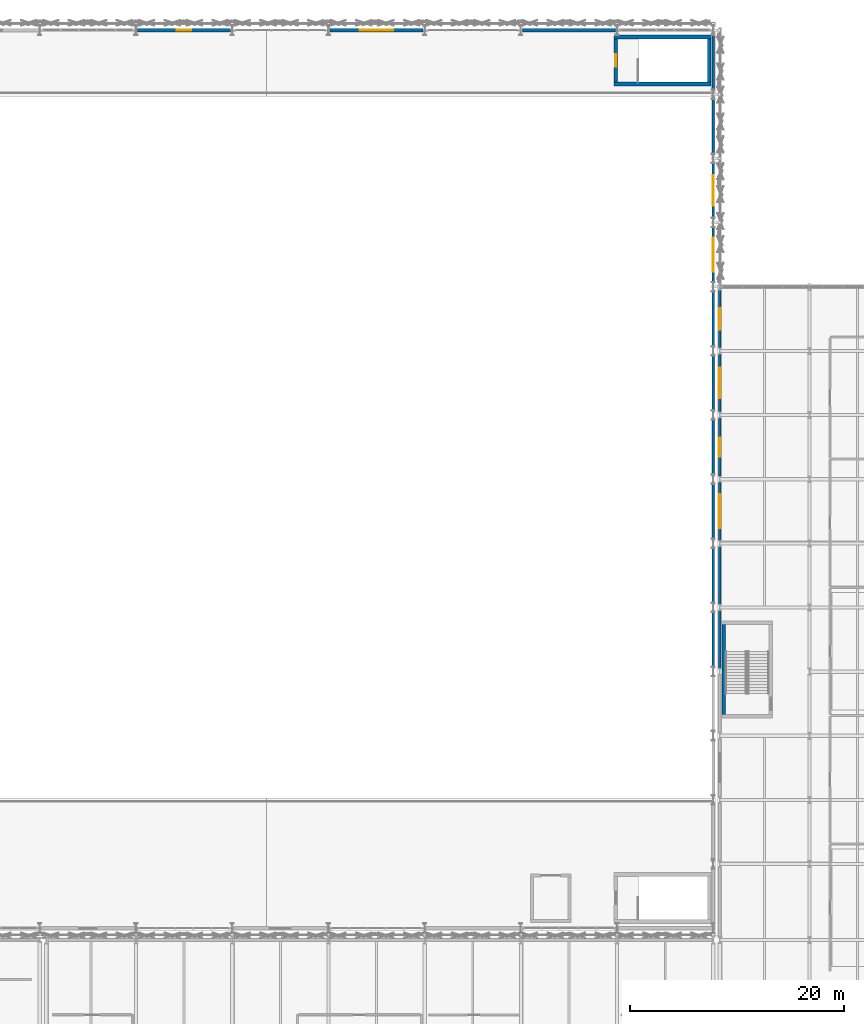
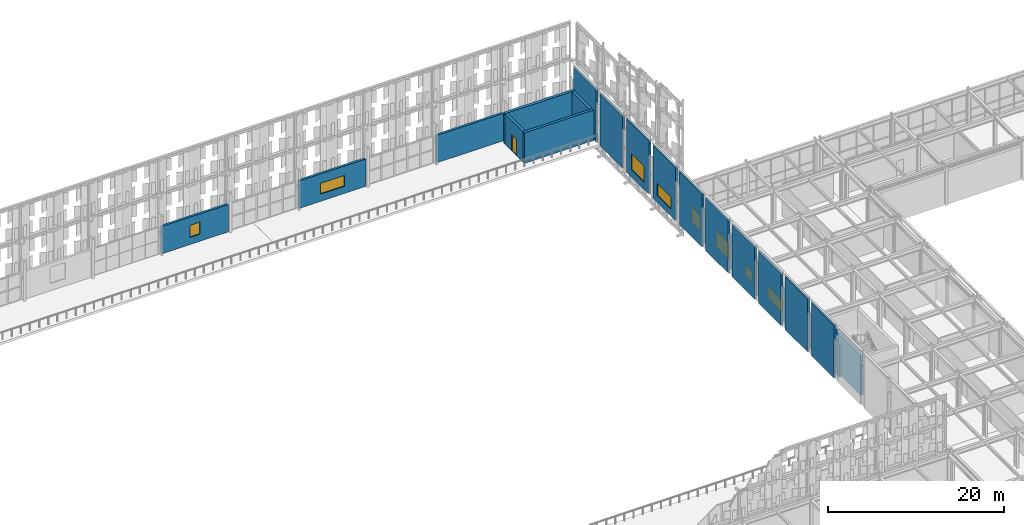
# One storey, part 159 of 210: 24 walls, 8 windows, 1 door, 9 openings.
"""IFC4 building model written with IfcOpenShell, lengths in metres."""

from ifc_helpers import new_model, si_unit, direction, frame, frame_2d, origin, place, context, subcontext, project, spatial, rectangle, extrude, material, layer, layer_set, type_object, element, fill, save


model = new_model("IFC4")

# Units and contexts
model_context = context("Model", 3, precision=1e-05, world=origin(), true_north=direction((0.0, 1.0)))
body_context = subcontext(model_context, "Body", "Model", "MODEL_VIEW")
ifc_project = project(units=[si_unit("LENGTHUNIT", "METRE"), si_unit("AREAUNIT", "SQUARE_METRE"), si_unit("VOLUMEUNIT", "CUBIC_METRE"), si_unit("PLANEANGLEUNIT", "RADIAN"), si_unit("MASSUNIT", "GRAM", prefix="KILO")], contexts=[model_context])

# Site, building, storey
site_placement = place(None, origin())
site = spatial("IfcSite", under=ifc_project, at=site_placement, CompositionType="ELEMENT")
building_placement = place(site_placement, origin())
building = spatial("IfcBuilding", under=site, at=building_placement, Name="Kaldris Quays Convention Centre", CompositionType="ELEMENT")
storey_placement = place(building_placement, frame((0.0, 0.0, 6.0)))
storey = spatial("IfcBuildingStorey", under=building, at=storey_placement, Name="L01", CompositionType="ELEMENT", Elevation=6.0)

# Wall, opening, window
ifc_material_1 = material(Name="Precast concrete C40/50", Category="concrete")
ifc_layer_1 = layer(ifc_material_1, 0.2880859375)
ifc_layer_set_1 = layer_set([ifc_layer_1], Name="Precast concrete C40/50")
wall_type_1 = type_object("IfcWallType", Name="EXTERIOR WALL EW03", PredefinedType="STANDARD", material=ifc_layer_set_1)
wall_1_placement = place(storey_placement, frame((92.14599609375, 140.0, 0.0), z_axis=(0.0, 0.0, 1.0), x_axis=(1.0, 0.0, 0.0)))
wall_1 = element("IfcWall", 1, at=wall_1_placement, inside=storey, type_object=wall_type_1, Name="L01 Exterior Wall EW03 27", PredefinedType="STANDARD", context=body_context, shape_type="SweptSolid", body=[
    extrude(rectangle(XDim=8.7080078125, YDim=0.2880859375, at=frame_2d((4.35400390625, 0.0))), origin(), (0.0, 0.0, 1.0), 3.800048828125),
])
opening_1_placement = place(wall_1_placement, frame((3.678955078125, 0.0, 1.0)))
opening_1 = element("IfcOpeningElement", 2, at=opening_1_placement, cuts=wall_1, Name="Opening WN17", PredefinedType="OPENING", context=body_context, shape_type="SweptSolid", body=[
    extrude(rectangle(XDim=1.35009765625, YDim=1.64990234375, at=frame_2d((0.675048828125, 0.824951171875))), frame((0.0, 0.154052734375, 0.0), z_axis=(0.0, -1.0, 0.0), x_axis=(1.0, 0.0, 0.0)), (0.0, 0.0, 1.0), 0.30810546875),
])
ifc_material_2 = material(Name="Triple low-E insulated glazing", Category="glass")
window_type_1 = type_object("IfcWindowType", Name="TRIPLE GLAZED WINDOW WN17", PartitioningType="SINGLE_PANEL", PredefinedType="WINDOW", material=ifc_material_2)
window_1_placement = place(opening_1_placement, origin())
window_1 = element("IfcWindow", 3, at=window_1_placement, inside=storey, type_object=window_type_1, Name="L01 Exterior Window WN17 12", OverallHeight=1.64990234375, OverallWidth=1.35009765625, PartitioningType="SINGLE_PANEL", PredefinedType="WINDOW", context=body_context, shape_type="SweptSolid", body=[
    extrude(rectangle(XDim=1.35009765625, YDim=1.64990234375, at=frame_2d((0.675048828125, 0.824951171875))), frame((0.0, 0.030029296875, 0.0), z_axis=(0.0, -1.0, 0.0), x_axis=(1.0, 0.0, 0.0)), (0.0, 0.0, 1.0), 0.06005859375),
])
fill(opening_1, window_1)

wall_2_placement = place(storey_placement, frame((110.14599609375, 140.0, 0.0), z_axis=(0.0, 0.0, 1.0), x_axis=(1.0, 0.0, 0.0)))
wall_2 = element("IfcWall", 4, at=wall_2_placement, inside=storey, type_object=wall_type_1, Name="L01 Exterior Wall EW03 33", PredefinedType="STANDARD", context=body_context, shape_type="SweptSolid", body=[
    extrude(rectangle(XDim=8.7080078125, YDim=0.2880859375, at=frame_2d((4.35400390625, 0.0))), origin(), (0.0, 0.0, 1.0), 3.800048828125),
])
opening_2_placement = place(wall_2_placement, frame((2.779052734375, 0.0, 1.0)))
opening_2 = element("IfcOpeningElement", 5, at=opening_2_placement, cuts=wall_2, Name="Opening WN20", PredefinedType="OPENING", context=body_context, shape_type="SweptSolid", body=[
    extrude(rectangle(XDim=3.14990234375, YDim=1.5, at=frame_2d((1.574951171875, 0.75))), frame((0.0, 0.154052734375, 0.0), z_axis=(0.0, -1.0, 0.0), x_axis=(1.0, 0.0, 0.0)), (0.0, 0.0, 1.0), 0.30810546875),
])
window_type_2 = type_object("IfcWindowType", Name="TRIPLE GLAZED WINDOW WN20", PartitioningType="SINGLE_PANEL", PredefinedType="WINDOW", material=ifc_material_2)
window_2_placement = place(opening_2_placement, origin())
window_2 = element("IfcWindow", 6, at=window_2_placement, inside=storey, type_object=window_type_2, Name="L01 Exterior Window WN20 15", OverallHeight=1.5, OverallWidth=3.14990234375, PartitioningType="SINGLE_PANEL", PredefinedType="WINDOW", context=body_context, shape_type="SweptSolid", body=[
    extrude(rectangle(XDim=3.14990234375, YDim=1.5, at=frame_2d((1.574951171875, 0.75))), frame((0.0, 0.030029296875, 0.0), z_axis=(0.0, -1.0, 0.0), x_axis=(1.0, 0.0, 0.0)), (0.0, 0.0, 1.0), 0.06005859375),
])
fill(opening_2, window_2)

# Walls
wall_3_placement = place(storey_placement, frame((128.14599609375, 140.0, 0.0), z_axis=(0.0, 0.0, 1.0), x_axis=(1.0, 0.0, 0.0)))
element("IfcWall", 7, at=wall_3_placement, inside=storey, type_object=wall_type_1, Name="L01 Exterior Wall EW03 39", PredefinedType="STANDARD", context=body_context, shape_type="SweptSolid", body=[
    extrude(rectangle(XDim=8.7080078125, YDim=0.2880859375, at=frame_2d((4.35400390625, 0.0))), origin(), (0.0, 0.0, 1.0), 3.800048828125),
])
ifc_layer_2 = layer(ifc_material_1, 0.263916015625)
ifc_layer_set_2 = layer_set([ifc_layer_2], Name="Precast concrete C40/50")
wall_type_2 = type_object("IfcWallType", Name="EXTERIOR WALL EW04", PredefinedType="STANDARD", material=ifc_layer_set_2)
wall_4_placement = place(storey_placement, frame((146.0, 80.446044921875, 0.0), z_axis=(0.0, 0.0, 1.0), x_axis=(0.0, 1.0, 0.0)))
element("IfcWall", 8, at=wall_4_placement, inside=storey, type_object=wall_type_2, Name="L01 Exterior Wall EW04 59", PredefinedType="STANDARD", context=body_context, shape_type="SweptSolid", body=[
    extrude(rectangle(XDim=5.10791015625, YDim=0.263916015625, at=frame_2d((2.553955078125, 0.0))), origin(), (0.0, 0.0, 1.0), 7.35498046875),
])
wall_5_placement = place(storey_placement, frame((146.0, 86.446044921875, 0.0), z_axis=(0.0, 0.0, 1.0), x_axis=(0.0, 1.0, 0.0)))
element("IfcWall", 9, at=wall_5_placement, inside=storey, type_object=wall_type_2, Name="L01 Exterior Wall EW04 63", PredefinedType="STANDARD", context=body_context, shape_type="SweptSolid", body=[
    extrude(rectangle(XDim=5.10791015625, YDim=0.263916015625, at=frame_2d((2.553955078125, 0.0))), origin(), (0.0, 0.0, 1.0), 7.375),
])
wall_6_placement = place(storey_placement, frame((146.0, 92.446044921875, 0.0), z_axis=(0.0, 0.0, 1.0), x_axis=(0.0, 1.0, 0.0)))
element("IfcWall", 10, at=wall_6_placement, inside=storey, type_object=wall_type_2, Name="L01 Exterior Wall EW04 66", PredefinedType="STANDARD", context=body_context, shape_type="SweptSolid", body=[
    extrude(rectangle(XDim=5.10791015625, YDim=0.263916015625, at=frame_2d((2.553955078125, 0.0))), origin(), (0.0, 0.0, 1.0), 7.18505859375),
])
wall_7_placement = place(storey_placement, frame((146.0, 98.446044921875, 0.0), z_axis=(0.0, 0.0, 1.0), x_axis=(0.0, 1.0, 0.0)))
element("IfcWall", 11, at=wall_7_placement, inside=storey, type_object=wall_type_2, Name="L01 Exterior Wall EW04 70", PredefinedType="STANDARD", context=body_context, shape_type="SweptSolid", body=[
    extrude(rectangle(XDim=5.10791015625, YDim=0.263916015625, at=frame_2d((2.553955078125, 0.0))), origin(), (0.0, 0.0, 1.0), 7.22509765625),
])
wall_8_placement = place(storey_placement, frame((146.0, 104.446044921875, 0.0), z_axis=(0.0, 0.0, 1.0), x_axis=(0.0, 1.0, 0.0)))
element("IfcWall", 12, at=wall_8_placement, inside=storey, type_object=wall_type_2, Name="L01 Exterior Wall EW04 73", PredefinedType="STANDARD", context=body_context, shape_type="SweptSolid", body=[
    extrude(rectangle(XDim=5.10791015625, YDim=0.263916015625, at=frame_2d((2.553955078125, 0.0))), origin(), (0.0, 0.0, 1.0), 7.304931640625),
])
wall_9_placement = place(storey_placement, frame((146.0, 110.446044921875, 0.0), z_axis=(0.0, 0.0, 1.0), x_axis=(0.0, 1.0, 0.0)))
element("IfcWall", 13, at=wall_9_placement, inside=storey, type_object=wall_type_2, Name="L01 Exterior Wall EW04 77", PredefinedType="STANDARD", context=body_context, shape_type="SweptSolid", body=[
    extrude(rectangle(XDim=5.10791015625, YDim=0.263916015625, at=frame_2d((2.553955078125, 0.0))), origin(), (0.0, 0.0, 1.0), 7.344970703125),
])

# Wall, opening, window
wall_10_placement = place(storey_placement, frame((146.0, 116.446044921875, 0.0), z_axis=(0.0, 0.0, 1.0), x_axis=(0.0, 1.0, 0.0)))
wall_10 = element("IfcWall", 14, at=wall_10_placement, inside=storey, type_object=wall_type_2, Name="L01 Exterior Wall EW04 80", PredefinedType="STANDARD", context=body_context, shape_type="SweptSolid", body=[
    extrude(rectangle(XDim=5.10791015625, YDim=0.263916015625, at=frame_2d((2.553955078125, 0.0))), origin(), (0.0, 0.0, 1.0), 7.35498046875),
])
opening_3_placement = place(wall_10_placement, frame((0.9541015625, 0.0, 1.0)))
opening_3 = element("IfcOpeningElement", 15, at=opening_3_placement, cuts=wall_10, Name="Opening WN10", PredefinedType="OPENING", context=body_context, shape_type="SweptSolid", body=[
    extrude(rectangle(XDim=3.199951171875, YDim=1.64990234375, at=frame_2d((1.60009765625, 0.824951171875))), frame((0.0, 0.14208984375, 0.0), z_axis=(0.0, -1.0, 0.0), x_axis=(1.0, 0.0, 0.0)), (0.0, 0.0, 1.0), 0.283935546875),
])
window_type_3 = type_object("IfcWindowType", Name="TRIPLE GLAZED WINDOW WN10", PartitioningType="SINGLE_PANEL", PredefinedType="WINDOW", material=ifc_material_2)
window_3_placement = place(opening_3_placement, origin())
window_3 = element("IfcWindow", 16, at=window_3_placement, inside=storey, type_object=window_type_3, Name="L01 Exterior Window WN10 25", OverallHeight=1.64990234375, OverallWidth=3.199951171875, PartitioningType="SINGLE_PANEL", PredefinedType="WINDOW", context=body_context, shape_type="SweptSolid", body=[
    extrude(rectangle(XDim=3.199951171875, YDim=1.64990234375, at=frame_2d((1.60009765625, 0.824951171875))), frame((0.0, 0.030029296875, 0.0), z_axis=(0.0, -1.0, 0.0), x_axis=(1.0, 0.0, 0.0)), (0.0, 0.0, 1.0), 0.06005859375),
])
fill(opening_3, window_3)

wall_11_placement = place(storey_placement, frame((146.0, 122.446044921875, 0.0), z_axis=(0.0, 0.0, 1.0), x_axis=(0.0, 1.0, 0.0)))
wall_11 = element("IfcWall", 17, at=wall_11_placement, inside=storey, type_object=wall_type_2, Name="L01 Exterior Wall EW04 84", PredefinedType="STANDARD", context=body_context, shape_type="SweptSolid", body=[
    extrude(rectangle(XDim=5.10791015625, YDim=0.263916015625, at=frame_2d((2.553955078125, 0.0))), origin(), (0.0, 0.0, 1.0), 7.375),
])
opening_4_placement = place(wall_11_placement, frame((1.12890625, 0.0, 1.0)))
opening_4 = element("IfcOpeningElement", 18, at=opening_4_placement, cuts=wall_11, Name="Opening WN12", PredefinedType="OPENING", context=body_context, shape_type="SweptSolid", body=[
    extrude(rectangle(XDim=2.85009765625, YDim=2.25, at=frame_2d((1.425048828125, 1.125))), frame((0.0, 0.14208984375, 0.0), z_axis=(0.0, -1.0, 0.0), x_axis=(1.0, 0.0, 0.0)), (0.0, 0.0, 1.0), 0.283935546875),
])
window_type_4 = type_object("IfcWindowType", Name="TRIPLE GLAZED WINDOW WN12", PartitioningType="SINGLE_PANEL", PredefinedType="WINDOW", material=ifc_material_2)
window_4_placement = place(opening_4_placement, origin())
window_4 = element("IfcWindow", 19, at=window_4_placement, inside=storey, type_object=window_type_4, Name="L01 Exterior Window WN12 27", OverallHeight=2.25, OverallWidth=2.85009765625, PartitioningType="SINGLE_PANEL", PredefinedType="WINDOW", context=body_context, shape_type="SweptSolid", body=[
    extrude(rectangle(XDim=2.85009765625, YDim=2.25, at=frame_2d((1.425048828125, 1.125))), frame((0.0, 0.030029296875, 0.0), z_axis=(0.0, -1.0, 0.0), x_axis=(1.0, 0.0, 0.0)), (0.0, 0.0, 1.0), 0.06005859375),
])
fill(opening_4, window_4)

# Walls
wall_12_placement = place(storey_placement, frame((146.0, 128.446044921875, 0.0), z_axis=(0.0, 0.0, 1.0), x_axis=(0.0, 1.0, 0.0)))
element("IfcWall", 20, at=wall_12_placement, inside=storey, type_object=wall_type_2, Name="L01 Exterior Wall EW04 87", PredefinedType="STANDARD", context=body_context, shape_type="SweptSolid", body=[
    extrude(rectangle(XDim=5.10791015625, YDim=0.263916015625, at=frame_2d((2.553955078125, 0.0))), origin(), (0.0, 0.0, 1.0), 7.18505859375),
])
wall_13_placement = place(storey_placement, frame((146.0, 134.446044921875, 0.0), z_axis=(0.0, 0.0, 1.0), x_axis=(0.0, 1.0, 0.0)))
element("IfcWall", 21, at=wall_13_placement, inside=storey, type_object=wall_type_2, Name="L01 Exterior Wall EW04 91", PredefinedType="STANDARD", context=body_context, shape_type="SweptSolid", body=[
    extrude(rectangle(XDim=5.10791015625, YDim=0.263916015625, at=frame_2d((2.553955078125, 0.0))), origin(), (0.0, 0.0, 1.0), 7.22509765625),
])
ifc_material_3 = material(Name="Anodized aluminium insulated cassette", Category="aluminium")
ifc_layer_3 = layer(ifc_material_3, 0.201904296875)
ifc_layer_set_3 = layer_set([ifc_layer_3], Name="Anodized aluminium insulated cassette")
wall_type_3 = type_object("IfcWallType", Name="EXTERIOR WALL EW07", PredefinedType="STANDARD", material=ifc_layer_set_3)
for number, where, z_axis, x_axis, name in (
    (22, (146.60009765625, 80.2958984375, 0.0), (0.0, 0.0, 1.0), (0.0, 1.0, 0.0), "L01 Exterior Wall EW07 298"),
    (23, (146.60009765625, 86.2958984375, 0.0), (0.0, 0.0, 1.0), (0.0, 1.0, 0.0), "L01 Exterior Wall EW07 300"),
):
    element("IfcWall", number, at=place(storey_placement, frame(where, z_axis=z_axis, x_axis=x_axis)), inside=storey, type_object=wall_type_3, Name=name, PredefinedType="STANDARD", context=body_context, shape_type="SweptSolid", body=[
        extrude(rectangle(XDim=5.408203125, YDim=0.201904296875, at=frame_2d((2.7041015625, 0.0))), origin(), (0.0, 0.0, 1.0), 4.51806640625),
    ])

# Wall, opening, window
wall_14_placement = place(storey_placement, frame((146.60009765625, 92.2958984375, 0.0), z_axis=(0.0, 0.0, 1.0), x_axis=(0.0, 1.0, 0.0)))
wall_14 = element("IfcWall", 24, at=wall_14_placement, inside=storey, type_object=wall_type_3, Name="L01 Exterior Wall EW07 302", PredefinedType="STANDARD", context=body_context, shape_type="SweptSolid", body=[
    extrude(rectangle(XDim=5.408203125, YDim=0.201904296875, at=frame_2d((2.7041015625, 0.0))), origin(), (0.0, 0.0, 1.0), 4.51806640625),
])
opening_5_placement = place(wall_14_placement, frame((1.10400390625, 0.0, 1.0)))
opening_5 = element("IfcOpeningElement", 25, at=opening_5_placement, cuts=wall_14, Name="Opening WN10", PredefinedType="OPENING", context=body_context, shape_type="SweptSolid", body=[
    extrude(rectangle(XDim=3.199951171875, YDim=1.64990234375, at=frame_2d((1.60009765625, 0.824951171875))), frame((0.0, 0.11083984375, 0.0), z_axis=(0.0, -1.0, 0.0), x_axis=(1.0, 0.0, 0.0)), (0.0, 0.0, 1.0), 0.221923828125),
])
window_5_placement = place(opening_5_placement, origin())
window_5 = element("IfcWindow", 26, at=window_5_placement, inside=storey, type_object=window_type_3, Name="L01 Exterior Window WN10 92", OverallHeight=1.64990234375, OverallWidth=3.199951171875, PartitioningType="SINGLE_PANEL", PredefinedType="WINDOW", context=body_context, shape_type="SweptSolid", body=[
    extrude(rectangle(XDim=3.199951171875, YDim=1.64990234375, at=frame_2d((1.60009765625, 0.824951171875))), frame((0.0, 0.030029296875, 0.0), z_axis=(0.0, -1.0, 0.0), x_axis=(1.0, 0.0, 0.0)), (0.0, 0.0, 1.0), 0.06005859375),
])
fill(opening_5, window_5)

wall_15_placement = place(storey_placement, frame((146.60009765625, 98.2958984375, 0.0), z_axis=(0.0, 0.0, 1.0), x_axis=(0.0, 1.0, 0.0)))
wall_15 = element("IfcWall", 27, at=wall_15_placement, inside=storey, type_object=wall_type_3, Name="L01 Exterior Wall EW07 304", PredefinedType="STANDARD", context=body_context, shape_type="SweptSolid", body=[
    extrude(rectangle(XDim=5.408203125, YDim=0.201904296875, at=frame_2d((2.7041015625, 0.0))), origin(), (0.0, 0.0, 1.0), 4.51806640625),
])
opening_6_placement = place(wall_15_placement, frame((1.803955078125, 0.0, 1.0)))
opening_6 = element("IfcOpeningElement", 28, at=opening_6_placement, cuts=wall_15, Name="Opening WN11", PredefinedType="OPENING", context=body_context, shape_type="SweptSolid", body=[
    extrude(rectangle(XDim=1.800048828125, YDim=1.5, at=frame_2d((0.89990234375, 0.75))), frame((0.0, 0.11083984375, 0.0), z_axis=(0.0, -1.0, 0.0), x_axis=(1.0, 0.0, 0.0)), (0.0, 0.0, 1.0), 0.221923828125),
])
window_type_5 = type_object("IfcWindowType", Name="TRIPLE GLAZED WINDOW WN11", PartitioningType="SINGLE_PANEL", PredefinedType="WINDOW", material=ifc_material_2)
window_6_placement = place(opening_6_placement, origin())
window_6 = element("IfcWindow", 29, at=window_6_placement, inside=storey, type_object=window_type_5, Name="L01 Exterior Window WN11 93", OverallHeight=1.5, OverallWidth=1.800048828125, PartitioningType="SINGLE_PANEL", PredefinedType="WINDOW", context=body_context, shape_type="SweptSolid", body=[
    extrude(rectangle(XDim=1.800048828125, YDim=1.5, at=frame_2d((0.89990234375, 0.75))), frame((0.0, 0.030029296875, 0.0), z_axis=(0.0, -1.0, 0.0), x_axis=(1.0, 0.0, 0.0)), (0.0, 0.0, 1.0), 0.06005859375),
])
fill(opening_6, window_6)

wall_16_placement = place(storey_placement, frame((146.60009765625, 104.2958984375, 0.0), z_axis=(0.0, 0.0, 1.0), x_axis=(0.0, 1.0, 0.0)))
wall_16 = element("IfcWall", 30, at=wall_16_placement, inside=storey, type_object=wall_type_3, Name="L01 Exterior Wall EW07 305", PredefinedType="STANDARD", context=body_context, shape_type="SweptSolid", body=[
    extrude(rectangle(XDim=5.408203125, YDim=0.201904296875, at=frame_2d((2.7041015625, 0.0))), origin(), (0.0, 0.0, 1.0), 4.51806640625),
])
opening_7_placement = place(wall_16_placement, frame((1.279052734375, 0.0, 1.0)))
opening_7 = element("IfcOpeningElement", 31, at=opening_7_placement, cuts=wall_16, Name="Opening WN12", PredefinedType="OPENING", context=body_context, shape_type="SweptSolid", body=[
    extrude(rectangle(XDim=2.85009765625, YDim=2.25, at=frame_2d((1.425048828125, 1.125))), frame((0.0, 0.11083984375, 0.0), z_axis=(0.0, -1.0, 0.0), x_axis=(1.0, 0.0, 0.0)), (0.0, 0.0, 1.0), 0.221923828125),
])
window_7_placement = place(opening_7_placement, origin())
window_7 = element("IfcWindow", 32, at=window_7_placement, inside=storey, type_object=window_type_4, Name="L01 Exterior Window WN12 94", OverallHeight=2.25, OverallWidth=2.85009765625, PartitioningType="SINGLE_PANEL", PredefinedType="WINDOW", context=body_context, shape_type="SweptSolid", body=[
    extrude(rectangle(XDim=2.85009765625, YDim=2.25, at=frame_2d((1.425048828125, 1.125))), frame((0.0, 0.030029296875, 0.0), z_axis=(0.0, -1.0, 0.0), x_axis=(1.0, 0.0, 0.0)), (0.0, 0.0, 1.0), 0.06005859375),
])
fill(opening_7, window_7)

wall_17_placement = place(storey_placement, frame((146.60009765625, 110.2958984375, 0.0), z_axis=(0.0, 0.0, 1.0), x_axis=(0.0, 1.0, 0.0)))
wall_17 = element("IfcWall", 33, at=wall_17_placement, inside=storey, type_object=wall_type_3, Name="L01 Exterior Wall EW07 306", PredefinedType="STANDARD", context=body_context, shape_type="SweptSolid", body=[
    extrude(rectangle(XDim=5.408203125, YDim=0.201904296875, at=frame_2d((2.7041015625, 0.0))), origin(), (0.0, 0.0, 1.0), 4.51806640625),
])
opening_8_placement = place(wall_17_placement, frame((1.7041015625, 0.0, 1.0)))
opening_8 = element("IfcOpeningElement", 34, at=opening_8_placement, cuts=wall_17, Name="Opening WN13", PredefinedType="OPENING", context=body_context, shape_type="SweptSolid", body=[
    extrude(rectangle(XDim=2.0, YDim=2.25, at=frame_2d((1.0, 1.125))), frame((0.0, 0.11083984375, 0.0), z_axis=(0.0, -1.0, 0.0), x_axis=(1.0, 0.0, 0.0)), (0.0, 0.0, 1.0), 0.221923828125),
])
window_type_6 = type_object("IfcWindowType", Name="TRIPLE GLAZED WINDOW WN13", PartitioningType="SINGLE_PANEL", PredefinedType="WINDOW", material=ifc_material_2)
window_8_placement = place(opening_8_placement, origin())
window_8 = element("IfcWindow", 35, at=window_8_placement, inside=storey, type_object=window_type_6, Name="L01 Exterior Window WN13 95", OverallHeight=2.25, OverallWidth=2.0, PartitioningType="SINGLE_PANEL", PredefinedType="WINDOW", context=body_context, shape_type="SweptSolid", body=[
    extrude(rectangle(XDim=2.0, YDim=2.25, at=frame_2d((1.0, 1.125))), frame((0.0, 0.030029296875, 0.0), z_axis=(0.0, -1.0, 0.0), x_axis=(1.0, 0.0, 0.0)), (0.0, 0.0, 1.0), 0.06005859375),
])
fill(opening_8, window_8)

# Walls
ifc_material_4 = material(Name="Concrete C40/50", Category="concrete")
ifc_layer_4 = layer(ifc_material_4, 0.35009765625)
ifc_layer_set_4 = layer_set([ifc_layer_4], Name="Concrete C40/50")
wall_type_4 = type_object("IfcWallType", Name="STRUCTURAL WALL SW01", PredefinedType="SHEAR", material=ifc_layer_set_4)
for number, where, z_axis, x_axis, name in (
    (36, (136.699951171875, 134.97509765625, 0.0), (0.0, 0.0, 1.0), (1.0, 0.0, 0.0), "L01 Core Shear Wall CORE-ST04-L01-S"),
    (37, (136.699951171875, 139.375, 0.0), (0.0, 0.0, 1.0), (1.0, 0.0, 0.0), "L01 Core Shear Wall CORE-ST04-L01-N"),
):
    element("IfcWall", number, at=place(storey_placement, frame(where, z_axis=z_axis, x_axis=x_axis)), inside=storey, type_object=wall_type_4, Name=name, PredefinedType="SHEAR", context=body_context, shape_type="SweptSolid", body=[
        extrude(rectangle(XDim=9.10009765625, YDim=0.35009765625, at=frame_2d((4.550048828125, 0.0))), origin(), (0.0, 0.0, 1.0), 4.199951171875),
    ])

# Wall, opening, door
wall_18_placement = place(storey_placement, frame((136.875, 135.14990234375, 0.0), z_axis=(0.0, 0.0, 1.0), x_axis=(0.0, 1.0, 0.0)))
wall_18 = element("IfcWall", 38, at=wall_18_placement, inside=storey, type_object=wall_type_4, Name="L01 Core Shear Wall CORE-ST04-L01-W", PredefinedType="SHEAR", context=body_context, shape_type="SweptSolid", body=[
    extrude(rectangle(XDim=4.050048828125, YDim=0.35009765625, at=frame_2d((2.02490234375, 0.0))), origin(), (0.0, 0.0, 1.0), 4.199951171875),
])
opening_9_placement = place(wall_18_placement, frame((1.425048828125, 0.0, 0.0)))
opening_9 = element("IfcOpeningElement", 39, at=opening_9_placement, cuts=wall_18, Name="Opening ID03", PredefinedType="OPENING", context=body_context, shape_type="SweptSolid", body=[
    extrude(rectangle(XDim=1.199951171875, YDim=2.199951171875, at=frame_2d((0.60009765625, 1.10009765625))), frame((0.0, 0.18505859375, 0.0), z_axis=(0.0, -1.0, 0.0), x_axis=(1.0, 0.0, 0.0)), (0.0, 0.0, 1.0), 0.3701171875),
])
ifc_material_5 = material(Name="Steel S355J2 fire-resisting door", Category="steel")
door_type = type_object("IfcDoorType", Name="INTERIOR DOOR ID03", OperationType="NOTDEFINED", PredefinedType="DOOR", material=ifc_material_5)
door_placement = place(opening_9_placement, frame((1.199951171875, 0.0, 0.0), z_axis=(0.0, 0.0, 1.0), x_axis=(-1.0, 0.0, 0.0)))
door = element("IfcDoor", 40, at=door_placement, inside=storey, type_object=door_type, Name="L01 Escape Stair ST04 Fire Door", OperationType="SINGLE_SWING_RIGHT", OverallHeight=2.199951171875, OverallWidth=1.199951171875, PredefinedType="DOOR", context=body_context, shape_type="SweptSolid", body=[
    extrude(rectangle(XDim=1.199951171875, YDim=2.199951171875, at=frame_2d((0.60009765625, 1.10009765625))), frame((0.0, 0.02490234375, 0.0), z_axis=(0.0, -1.0, 0.0), x_axis=(1.0, 0.0, 0.0)), (0.0, 0.0, 1.0), 0.050048828125),
])
fill(opening_9, door)

# Walls
wall_19_placement = place(storey_placement, frame((145.625, 135.14990234375, 0.0), z_axis=(0.0, 0.0, 1.0), x_axis=(0.0, 1.0, 0.0)))
element("IfcWall", 41, at=wall_19_placement, inside=storey, type_object=wall_type_4, Name="L01 Core Shear Wall CORE-ST04-L01-E", PredefinedType="SHEAR", context=body_context, shape_type="SweptSolid", body=[
    extrude(rectangle(XDim=4.050048828125, YDim=0.35009765625, at=frame_2d((2.02490234375, 0.0))), origin(), (0.0, 0.0, 1.0), 4.199951171875),
])
wall_20_placement = place(storey_placement, frame((146.97509765625, 76.0, 0.0), z_axis=(0.0, 0.0, 1.0), x_axis=(0.0, 1.0, 0.0)))
element("IfcWall", 42, at=wall_20_placement, inside=storey, type_object=wall_type_4, Name="L01 Core Shear Wall CORE-ST14-L01-W", PredefinedType="SHEAR", context=body_context, shape_type="SweptSolid", body=[
    extrude(rectangle(XDim=8.39990234375, YDim=0.35009765625, at=frame_2d((4.199951171875, 0.0))), origin(), (0.0, 0.0, 1.0), 5.39990234375),
])

save(model, "model.ifc")
